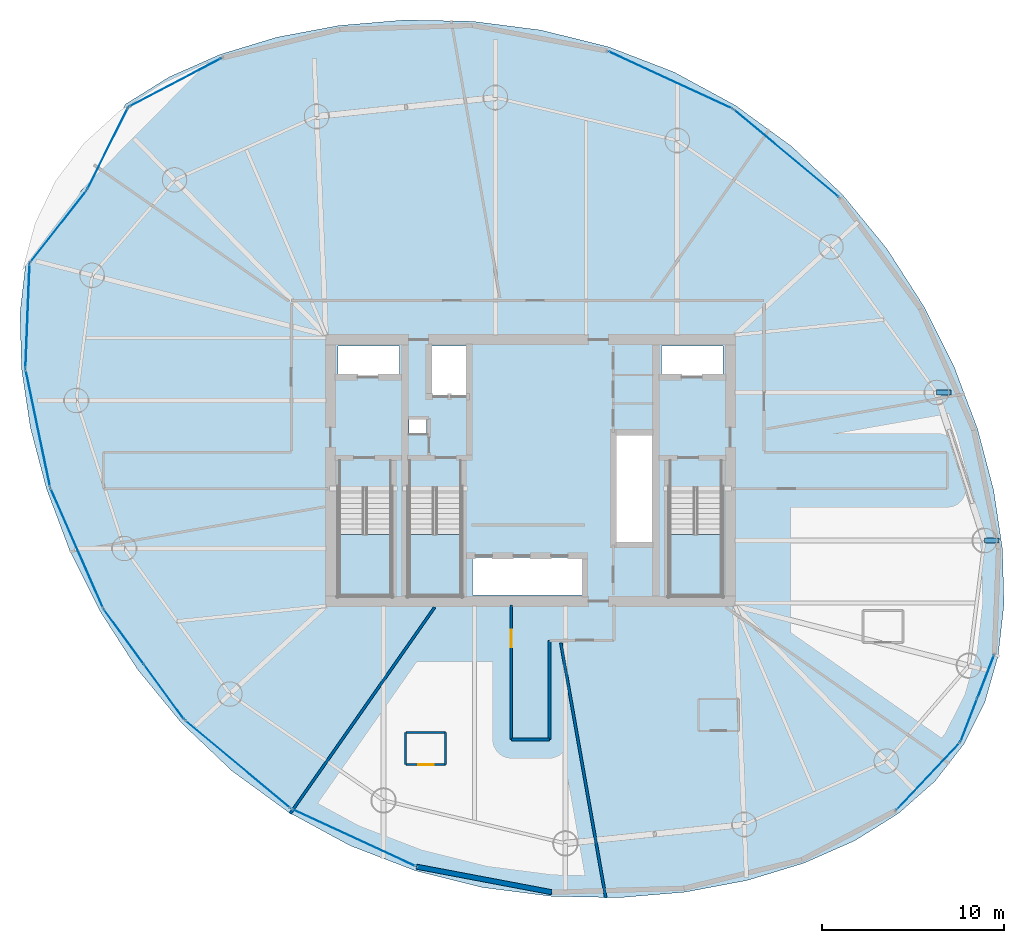
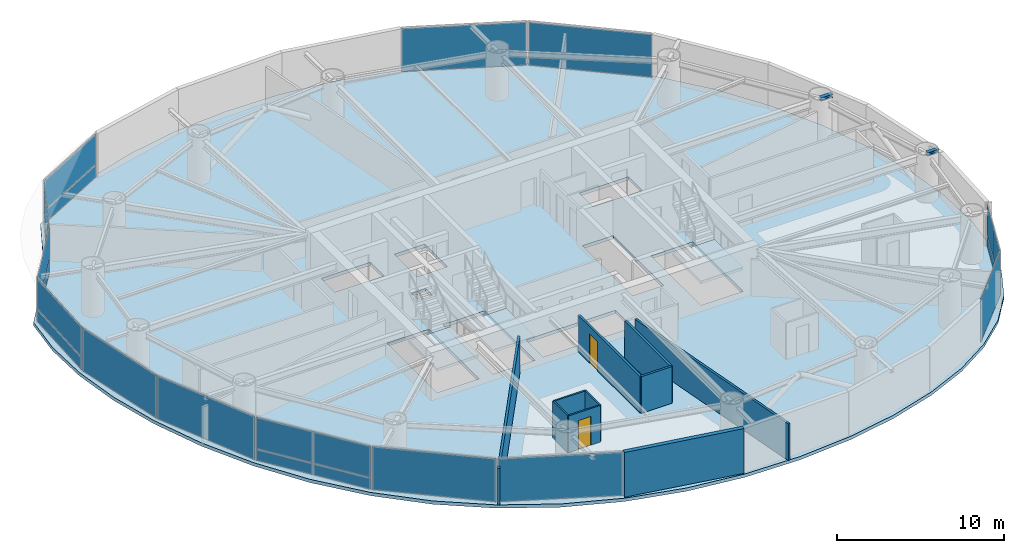
# One storey, part 17 of 23: 23 plates, 10 walls, 4 slabs, 2 beams, 2 doors, 2 openings, 16 elements without a shape of their own.
"""IFC4 building model written with IfcOpenShell, lengths in metres."""

from ifc_helpers import new_model, si_unit, direction, frame, frame_2d, origin, origin_2d, place, context, subcontext, project, spatial, polyline, rectangle, i_section, outline, extrude, material, layer, layer_set, material_profile, profile_set, type_object, element, fill, aggregate, save


model = new_model("IFC4")

# Units and contexts
model_context = context("Model", 3, precision=1e-05, world=origin(), true_north=direction((0.0, 1.0)))
body_context = subcontext(model_context, "Body", "Model", "MODEL_VIEW")
ifc_project = project(units=[si_unit("LENGTHUNIT", "METRE"), si_unit("AREAUNIT", "SQUARE_METRE"), si_unit("VOLUMEUNIT", "CUBIC_METRE"), si_unit("PLANEANGLEUNIT", "RADIAN"), si_unit("MASSUNIT", "GRAM", prefix="KILO")], contexts=[model_context])

# Site, building, storey
site_placement = place(None, origin())
site = spatial("IfcSite", under=ifc_project, at=site_placement, CompositionType="ELEMENT")
building_placement = place(site_placement, origin())
building = spatial("IfcBuilding", under=site, at=building_placement, Name="Bramvorn Convention Spire", CompositionType="ELEMENT")
storey_placement = place(building_placement, frame((0.0, 0.0, 158.800048828125)))
storey = spatial("IfcBuildingStorey", under=building, at=storey_placement, Name="L40", CompositionType="ELEMENT", Elevation=158.800048828125)

# Beams
ifc_material_1 = material(Name="Steel CSA G40.21 Grade 350 (350W)", Category="steel")
ifc_material_profile = material_profile(ifc_material_1, i_section(OverallWidth=0.25390625, OverallDepth=0.2529296875, WebThickness=0.008544921875, FlangeThickness=0.01416015625, FilletRadius=0.011962890625, at=origin_2d()))
ifc_profile_set = profile_set([ifc_material_profile], Name="Steel CSA G40.21 Grade 350 (350W) - W250X73")
beam_type = type_object("IfcBeamType", Name="BM-W250X73", PredefinedType="BEAM", material=ifc_profile_set)
for number, where, z_axis, x_axis, name in (
    (1, (62.983642578125, 22.148193359375, 3.133544921875), (1.0, 0.0, 0.0), (0.0, 1.0, 0.0), "L40 slab-edge cantilever tip beam MC02"),
    (2, (60.345703125, 30.293212890625, 3.133544921875), (1.0, 0.0, 0.0), (0.0, 1.0, 0.0), "L40 slab-edge cantilever tip beam MC03"),
):
    element("IfcBeam", number, at=place(storey_placement, frame(where, z_axis=z_axis, x_axis=x_axis)), inside=storey, type_object=beam_type, Name=name, PredefinedType="BEAM", context=body_context, shape_type="SweptSolid", body=[
        extrude(i_section(OverallWidth=0.25390625, OverallDepth=0.2529296875, WebThickness=0.008544921875, FlangeThickness=0.01416015625, FilletRadius=0.011962890625, at=origin_2d()), origin(), (0.0, 0.0, 1.0), 0.800048828125),
    ])

# Curtain wall, plates
ifc_material_2 = material(Name="Anodised Bronze Unitised Curtain Wall", Category="aluminium")
ifc_layer_1 = layer(ifc_material_2, 0.179931640625)
ifc_layer_set_1 = layer_set([ifc_layer_1], Name="Anodised Bronze Unitised Curtain Wall - CW-HTL-FRIT")
curtain_wall_type_1 = type_object("IfcCurtainWallType", Name="CW-HTL-FRIT", PredefinedType="USERDEFINED", material=ifc_layer_set_1)
curtain_wall_1_placement = place(storey_placement, origin())
curtain_wall_1 = element("IfcCurtainWall", 3, at=curtain_wall_1_placement, inside=storey, type_object=curtain_wall_type_1, Name="L40 fritted glass curtain wall 01", ObjectType="UNITISED CURTAIN WALL", PredefinedType="USERDEFINED")
ifc_material_3 = material(Name="Laminated Low-E Glass (Triple IGU Tapered Ceramic Frit 40%)", Category="glass")
ifc_layer_2 = layer(ifc_material_3, 0.0380859375)
ifc_layer_set_2 = layer_set([ifc_layer_2], Name="Laminated Low-E Glass (Triple IGU Tapered Ceramic Frit 40%) - PNL-IGU-2")
plate_type_1 = type_object("IfcPlateType", Name="PNL-IGU-2", PredefinedType="CURTAIN_PANEL", material=ifc_layer_set_2)
plate_1_placement = place(storey_placement, frame((63.0498046875, 14.65234375, 0.059814453125), z_axis=(0.0, 0.0, 1.0), x_axis=(-0.361975241742, -0.932187708761, 0.0)))
plate_1 = element("IfcPlate", 4, at=plate_1_placement, type_object=plate_type_1, Name="CW2 panel 1.1", PredefinedType="CURTAIN_PANEL", context=body_context, shape_type="SweptSolid", body=[
    extrude(rectangle(XDim=2.497314453125, YDim=0.028076171875, at=origin_2d()), origin(), (0.0, 0.0, 1.0), 0.81005859375),
])
plate_2_placement = place(storey_placement, frame((63.0498046875, 14.65234375, 0.929931640625), z_axis=(0.0, 0.0, 1.0), x_axis=(-0.361975241742, -0.932187708761, 0.0)))
plate_2 = element("IfcPlate", 5, at=plate_2_placement, type_object=plate_type_1, Name="CW2 panel 1.2", PredefinedType="CURTAIN_PANEL", context=body_context, shape_type="SweptSolid", body=[
    extrude(rectangle(XDim=2.497314453125, YDim=0.028076171875, at=origin_2d()), origin(), (0.0, 0.0, 1.0), 2.27001953125),
])
plate_3_placement = place(storey_placement, frame((62.1240234375, 12.2685546875, 0.059814453125), z_axis=(0.0, 0.0, 1.0), x_axis=(-0.361975241742, -0.932187708761, 0.0)))
plate_3 = element("IfcPlate", 6, at=plate_3_placement, type_object=plate_type_1, Name="CW2 panel 2.1", PredefinedType="CURTAIN_PANEL", context=body_context, shape_type="SweptSolid", body=[
    extrude(rectangle(XDim=2.497314453125, YDim=0.028076171875, at=origin_2d()), origin(), (0.0, 0.0, 1.0), 0.81005859375),
])
plate_4_placement = place(storey_placement, frame((62.1240234375, 12.2685546875, 0.929931640625), z_axis=(0.0, 0.0, 1.0), x_axis=(-0.361975241742, -0.932187708761, 0.0)))
plate_4 = element("IfcPlate", 7, at=plate_4_placement, type_object=plate_type_1, Name="CW2 panel 2.2", PredefinedType="CURTAIN_PANEL", context=body_context, shape_type="SweptSolid", body=[
    extrude(rectangle(XDim=2.497314453125, YDim=0.028076171875, at=origin_2d()), origin(), (0.0, 0.0, 1.0), 2.27001953125),
])
aggregate(curtain_wall_1, [plate_1, plate_2, plate_3, plate_4])

# Curtain wall, plate
curtain_wall_2_placement = place(storey_placement, origin())
curtain_wall_2 = element("IfcCurtainWall", 8, at=curtain_wall_2_placement, inside=storey, type_object=curtain_wall_type_1, Name="L40 fritted glass curtain wall 06", ObjectType="UNITISED CURTAIN WALL", PredefinedType="USERDEFINED")
plate_5_placement = place(storey_placement, frame((52.0771484375, 43.447021484375, 0.06005859375), z_axis=(0.0, 0.0, 1.0), x_axis=(0.768304128906, -0.640084967411, 0.0)))
plate_5 = element("IfcPlate", 9, at=plate_5_placement, type_object=plate_type_1, Name="CW2 panel 1.1", PredefinedType="CURTAIN_PANEL", context=body_context, shape_type="SweptSolid", body=[
    extrude(rectangle(XDim=7.497314453125, YDim=0.028076171875, at=origin_2d()), origin(), (0.0, 0.0, 1.0), 3.139892578125),
])
aggregate(curtain_wall_2, [plate_5])

curtain_wall_3_placement = place(storey_placement, origin())
curtain_wall_3 = element("IfcCurtainWall", 10, at=curtain_wall_3_placement, inside=storey, type_object=curtain_wall_type_1, Name="L40 fritted glass curtain wall 07", ObjectType="UNITISED CURTAIN WALL", PredefinedType="USERDEFINED")
plate_6_placement = place(storey_placement, frame((45.693603515625, 47.482421875, 0.06005859375), z_axis=(0.0, 0.0, 1.0), x_axis=(0.907764100217, -0.419481034561, 0.0)))
plate_6 = element("IfcPlate", 11, at=plate_6_placement, type_object=plate_type_1, Name="CW2 panel 1.1", PredefinedType="CURTAIN_PANEL", context=body_context, shape_type="SweptSolid", body=[
    extrude(rectangle(XDim=7.49755859375, YDim=0.028076171875, at=origin_2d()), origin(), (0.0, 0.0, 1.0), 3.139892578125),
])
aggregate(curtain_wall_3, [plate_6])

curtain_wall_4_placement = place(storey_placement, origin())
curtain_wall_4 = element("IfcCurtainWall", 12, at=curtain_wall_4_placement, inside=storey, type_object=curtain_wall_type_1, Name="L40 fritted glass curtain wall 15", ObjectType="UNITISED CURTAIN WALL", PredefinedType="USERDEFINED")
plate_7_placement = place(storey_placement, frame((10.8994140625, 28.32958984375, 0.06005859375), z_axis=(0.0, 0.0, 1.0), x_axis=(-0.204274787194, 0.978913587257, 0.0)))
plate_7 = element("IfcPlate", 13, at=plate_7_placement, type_object=plate_type_1, Name="CW2 panel 1.1", PredefinedType="CURTAIN_PANEL", context=body_context, shape_type="SweptSolid", body=[
    extrude(rectangle(XDim=6.544921875, YDim=0.028076171875, at=origin_2d()), origin(), (0.0, 0.0, 1.0), 3.139892578125),
])
aggregate(curtain_wall_4, [plate_7])

curtain_wall_5_placement = place(storey_placement, origin())
curtain_wall_5 = element("IfcCurtainWall", 14, at=curtain_wall_5_placement, inside=storey, type_object=curtain_wall_type_1, Name="L40 fritted glass curtain wall 16", ObjectType="UNITISED CURTAIN WALL", PredefinedType="USERDEFINED")
plate_8_placement = place(storey_placement, frame((13.044189453125, 21.728271484375, 0.06005859375), z_axis=(0.0, 0.0, 1.0), x_axis=(-0.401542442178, 0.915840415755, 0.0)))
plate_8 = element("IfcPlate", 15, at=plate_8_placement, type_object=plate_type_1, Name="CW2 panel 1.1", PredefinedType="CURTAIN_PANEL", context=body_context, shape_type="SweptSolid", body=[
    extrude(rectangle(XDim=7.171875, YDim=0.028076171875, at=origin_2d()), origin(), (0.0, 0.0, 1.0), 3.139892578125),
])
aggregate(curtain_wall_5, [plate_8])

# Curtain wall, plates
curtain_wall_6_placement = place(storey_placement, origin())
curtain_wall_6 = element("IfcCurtainWall", 16, at=curtain_wall_6_placement, inside=storey, type_object=curtain_wall_type_1, Name="L40 fritted glass curtain wall 17", ObjectType="UNITISED CURTAIN WALL", PredefinedType="USERDEFINED")
plate_9_placement = place(storey_placement, frame((17.843994140625, 13.814453125, 0.059814453125), z_axis=(0.0, 0.0, 1.0), x_axis=(-0.589194799142, 0.807991020163, 0.0)))
plate_9 = element("IfcPlate", 17, at=plate_9_placement, type_object=plate_type_1, Name="CW2 panel 1.1", PredefinedType="CURTAIN_PANEL", context=body_context, shape_type="SweptSolid", body=[
    extrude(rectangle(XDim=3.694580078125, YDim=0.028076171875, at=origin_2d()), origin(), (0.0, 0.0, 1.0), 0.81005859375),
])
plate_10_placement = place(storey_placement, frame((17.843994140625, 13.814453125, 0.929931640625), z_axis=(0.0, 0.0, 1.0), x_axis=(-0.589194799142, 0.807991020163, 0.0)))
plate_10 = element("IfcPlate", 18, at=plate_10_placement, type_object=plate_type_1, Name="CW2 panel 1.2", PredefinedType="CURTAIN_PANEL", context=body_context, shape_type="SweptSolid", body=[
    extrude(rectangle(XDim=3.694580078125, YDim=0.028076171875, at=origin_2d()), origin(), (0.0, 0.0, 1.0), 2.27001953125),
])
plate_11_placement = place(storey_placement, frame((15.6318359375, 16.84814453125, 0.059814453125), z_axis=(0.0, 0.0, 1.0), x_axis=(-0.589194799142, 0.807991020163, 0.0)))
plate_11 = element("IfcPlate", 19, at=plate_11_placement, type_object=plate_type_1, Name="CW2 panel 2.1", PredefinedType="CURTAIN_PANEL", context=body_context, shape_type="SweptSolid", body=[
    extrude(rectangle(XDim=3.694580078125, YDim=0.028076171875, at=origin_2d()), origin(), (0.0, 0.0, 1.0), 0.81005859375),
])
plate_12_placement = place(storey_placement, frame((15.6318359375, 16.84814453125, 0.929931640625), z_axis=(0.0, 0.0, 1.0), x_axis=(-0.589194799142, 0.807991020163, 0.0)))
plate_12 = element("IfcPlate", 20, at=plate_12_placement, type_object=plate_type_1, Name="CW2 panel 2.2", PredefinedType="CURTAIN_PANEL", context=body_context, shape_type="SweptSolid", body=[
    extrude(rectangle(XDim=3.694580078125, YDim=0.028076171875, at=origin_2d()), origin(), (0.0, 0.0, 1.0), 2.27001953125),
])
aggregate(curtain_wall_6, [plate_9, plate_10, plate_11, plate_12])

# Curtain wall, plate
curtain_wall_7_placement = place(storey_placement, origin())
curtain_wall_7 = element("IfcCurtainWall", 21, at=curtain_wall_7_placement, inside=storey, type_object=curtain_wall_type_1, Name="L40 fritted glass curtain wall 18", ObjectType="UNITISED CURTAIN WALL", PredefinedType="USERDEFINED")
plate_13_placement = place(storey_placement, frame((21.89404296875, 9.83544921875, 0.06005859375), z_axis=(0.0, 0.0, 1.0), x_axis=(-0.768315963321, 0.640070762109, 0.0)))
plate_13 = element("IfcPlate", 22, at=plate_13_placement, type_object=plate_type_1, Name="CW2 panel 1.1", PredefinedType="CURTAIN_PANEL", context=body_context, shape_type="SweptSolid", body=[
    extrude(rectangle(XDim=7.49755859375, YDim=0.028076171875, at=origin_2d()), origin(), (0.0, 0.0, 1.0), 3.139892578125),
])
aggregate(curtain_wall_7, [plate_13])

curtain_wall_8_placement = place(storey_placement, origin())
curtain_wall_8 = element("IfcCurtainWall", 23, at=curtain_wall_8_placement, inside=storey, type_object=curtain_wall_type_1, Name="L40 fritted glass curtain wall 19", ObjectType="UNITISED CURTAIN WALL", PredefinedType="USERDEFINED")
plate_14_placement = place(storey_placement, frame((28.27783203125, 5.800048828125, 0.06005859375), z_axis=(0.0, 0.0, 1.0), x_axis=(-0.907756791157, 0.419496851131, 0.0)))
plate_14 = element("IfcPlate", 24, at=plate_14_placement, type_object=plate_type_1, Name="CW2 panel 1.1", PredefinedType="CURTAIN_PANEL", context=body_context, shape_type="SweptSolid", body=[
    extrude(rectangle(XDim=7.49755859375, YDim=0.028076171875, at=origin_2d()), origin(), (0.0, 0.0, 1.0), 3.139892578125),
])
aggregate(curtain_wall_8, [plate_14])

curtain_wall_9_placement = place(storey_placement, origin())
curtain_wall_9 = element("IfcCurtainWall", 25, at=curtain_wall_9_placement, inside=storey, type_object=curtain_wall_type_1, Name="L40 fritted glass curtain wall 24", ObjectType="UNITISED CURTAIN WALL", PredefinedType="USERDEFINED")
plate_15_placement = place(storey_placement, frame((59.87353515625, 9.16845703125, 0.06005859375), z_axis=(0.0, 0.0, 1.0), x_axis=(-0.686820996147, -0.726826608795, 0.0)))
plate_15 = element("IfcPlate", 26, at=plate_15_placement, type_object=plate_type_1, Name="CW2 panel 1.1", PredefinedType="CURTAIN_PANEL", context=body_context, shape_type="SweptSolid", body=[
    extrude(rectangle(XDim=5.05419921875, YDim=0.028076171875, at=origin_2d()), origin(), (0.0, 0.0, 1.0), 3.139892578125),
])
aggregate(curtain_wall_9, [plate_15])

# Curtain wall, plates
ifc_layer_3 = layer(ifc_material_2, 0.219970703125)
ifc_layer_set_3 = layer_set([ifc_layer_3], Name="Anodised Bronze Unitised Curtain Wall - CW-SKYGARDEN")
curtain_wall_type_2 = type_object("IfcCurtainWallType", Name="CW-SKYGARDEN", PredefinedType="USERDEFINED", material=ifc_layer_set_3)
curtain_wall_10_placement = place(storey_placement, origin())
curtain_wall_10 = element("IfcCurtainWall", 27, at=curtain_wall_10_placement, inside=storey, type_object=curtain_wall_type_2, Name="L40 Sky Garden glazed facade 11", ObjectType="WINTER GARDEN GLAZING", PredefinedType="USERDEFINED")
ifc_material_4 = material(Name="Laminated Low-E Glass (Acoustic Laminated Podium Triple IGU)", Category="glass")
ifc_layer_4 = layer(ifc_material_4, 0.0458984375)
ifc_layer_set_4 = layer_set([ifc_layer_4], Name="Laminated Low-E Glass (Acoustic Laminated Podium Triple IGU) - PNL-IGU-5")
plate_type_2 = type_object("IfcPlateType", Name="PNL-IGU-5", PredefinedType="CURTAIN_PANEL", material=ifc_layer_set_4)
plate_16_placement = place(storey_placement, frame((18.45361328125, 47.345947265625, 0.06005859375), z_axis=(0.0, 0.0, 1.0), x_axis=(0.885739413064, 0.464182821898, 0.0)))
plate_16 = element("IfcPlate", 28, at=plate_16_placement, type_object=plate_type_2, Name="CW4 panel 1.1", PredefinedType="CURTAIN_PANEL", context=body_context, shape_type="SweptSolid", body=[
    extrude(rectangle(XDim=5.70263671875, YDim=0.028076171875, at=origin_2d()), origin(), (0.0, 0.0, 1.0), 0.909912109375),
])
plate_17_placement = place(storey_placement, frame((18.45361328125, 47.345947265625, 1.030029296875), z_axis=(0.0, 0.0, 1.0), x_axis=(0.885739413064, 0.464182821898, 0.0)))
plate_17 = element("IfcPlate", 29, at=plate_17_placement, type_object=plate_type_2, Name="CW4 panel 1.2", PredefinedType="CURTAIN_PANEL", context=body_context, shape_type="SweptSolid", body=[
    extrude(rectangle(XDim=5.70263671875, YDim=0.028076171875, at=origin_2d()), origin(), (0.0, 0.0, 1.0), 2.169921875),
])
aggregate(curtain_wall_10, [plate_16, plate_17])

curtain_wall_11_placement = place(storey_placement, origin())
curtain_wall_11 = element("IfcCurtainWall", 30, at=curtain_wall_11_placement, inside=storey, type_object=curtain_wall_type_2, Name="L40 Sky Garden glazed facade 12", ObjectType="WINTER GARDEN GLAZING", PredefinedType="USERDEFINED")
plate_18_placement = place(storey_placement, frame((14.73583984375, 43.710693359375, 0.06005859375), z_axis=(0.0, 0.0, 1.0), x_axis=(0.446296433808, 0.89488518435, 0.0)))
plate_18 = element("IfcPlate", 31, at=plate_18_placement, type_object=plate_type_2, Name="CW4 panel 1.1", PredefinedType="CURTAIN_PANEL", context=body_context, shape_type="SweptSolid", body=[
    extrude(rectangle(XDim=4.98388671875, YDim=0.028076171875, at=origin_2d()), origin(), (0.0, 0.0, 1.0), 0.909912109375),
])
plate_19_placement = place(storey_placement, frame((14.73583984375, 43.710693359375, 1.030029296875), z_axis=(0.0, 0.0, 1.0), x_axis=(0.446296433808, 0.89488518435, 0.0)))
plate_19 = element("IfcPlate", 32, at=plate_19_placement, type_object=plate_type_2, Name="CW4 panel 1.2", PredefinedType="CURTAIN_PANEL", context=body_context, shape_type="SweptSolid", body=[
    extrude(rectangle(XDim=4.98388671875, YDim=0.028076171875, at=origin_2d()), origin(), (0.0, 0.0, 1.0), 2.169921875),
])
aggregate(curtain_wall_11, [plate_18, plate_19])

curtain_wall_12_placement = place(storey_placement, origin())
curtain_wall_12 = element("IfcCurtainWall", 33, at=curtain_wall_12_placement, inside=storey, type_object=curtain_wall_type_2, Name="L40 Sky Garden glazed facade 13", ObjectType="WINTER GARDEN GLAZING", PredefinedType="USERDEFINED")
plate_20_placement = place(storey_placement, frame((12.0224609375, 39.418701171875, 0.06005859375), z_axis=(0.0, 0.0, 1.0), x_axis=(0.616954153552, 0.78699909302, 0.0)))
plate_20 = element("IfcPlate", 34, at=plate_20_placement, type_object=plate_type_2, Name="CW4 panel 1.1", PredefinedType="CURTAIN_PANEL", context=body_context, shape_type="SweptSolid", body=[
    extrude(rectangle(XDim=4.98388671875, YDim=0.028076171875, at=origin_2d()), origin(), (0.0, 0.0, 1.0), 0.909912109375),
])
plate_21_placement = place(storey_placement, frame((12.0224609375, 39.418701171875, 1.030029296875), z_axis=(0.0, 0.0, 1.0), x_axis=(0.616954153552, 0.78699909302, 0.0)))
plate_21 = element("IfcPlate", 35, at=plate_21_placement, type_object=plate_type_2, Name="CW4 panel 1.2", PredefinedType="CURTAIN_PANEL", context=body_context, shape_type="SweptSolid", body=[
    extrude(rectangle(XDim=4.98388671875, YDim=0.028076171875, at=origin_2d()), origin(), (0.0, 0.0, 1.0), 2.169921875),
])
aggregate(curtain_wall_12, [plate_20, plate_21])

curtain_wall_13_placement = place(storey_placement, origin())
curtain_wall_13 = element("IfcCurtainWall", 36, at=curtain_wall_13_placement, inside=storey, type_object=curtain_wall_type_2, Name="L40 Sky Garden glazed facade 14", ObjectType="WINTER GARDEN GLAZING", PredefinedType="USERDEFINED")
plate_22_placement = place(storey_placement, frame((10.333251953125, 34.5009765625, 0.06005859375), z_axis=(0.0, 0.0, 1.0), x_axis=(0.039396714655, 0.999223648076, 0.0)))
plate_22 = element("IfcPlate", 37, at=plate_22_placement, type_object=plate_type_2, Name="CW4 panel 1.1", PredefinedType="CURTAIN_PANEL", context=body_context, shape_type="SweptSolid", body=[
    extrude(rectangle(XDim=5.702880859375, YDim=0.028076171875, at=origin_2d()), origin(), (0.0, 0.0, 1.0), 0.909912109375),
])
plate_23_placement = place(storey_placement, frame((10.333251953125, 34.5009765625, 1.030029296875), z_axis=(0.0, 0.0, 1.0), x_axis=(0.039396714655, 0.999223648076, 0.0)))
plate_23 = element("IfcPlate", 38, at=plate_23_placement, type_object=plate_type_2, Name="CW4 panel 1.2", PredefinedType="CURTAIN_PANEL", context=body_context, shape_type="SweptSolid", body=[
    extrude(rectangle(XDim=5.702880859375, YDim=0.028076171875, at=origin_2d()), origin(), (0.0, 0.0, 1.0), 2.169921875),
])
aggregate(curtain_wall_13, [plate_22, plate_23])

# Stair, slab
ifc_material_5 = material(Name="Concrete C40/50 Precast Stair", Category="concrete")
stair_type = type_object("IfcStairType", Name="ST-TOWER-1550", PredefinedType="HALF_TURN_STAIR", material=ifc_material_5)
stair_1_placement = place(storey_placement, origin())
stair_1 = element("IfcStair", 39, at=stair_1_placement, inside=storey, type_object=stair_type, Name="L40 Protected Exit Stair ST1", PredefinedType="HALF_TURN_STAIR")
ifc_material_6 = material(Name="Concrete C40/50 Stair Landing", Category="concrete")
ifc_layer_5 = layer(ifc_material_6, 0.219970703125)
ifc_layer_set_5 = layer_set([ifc_layer_5], Name="Concrete C40/50 Stair Landing - SLB-STAIR-LANDING")
slab_type_1 = type_object("IfcSlabType", Name="SLB-STAIR-LANDING", PredefinedType="LANDING", material=ifc_layer_set_5)
slab_1_placement = place(storey_placement, frame((0.0, 0.0, 1.550048828125)))
slab_1 = element("IfcSlab", 40, at=slab_1_placement, type_object=slab_type_1, Name="ST1 landing 1", PredefinedType="LANDING", context=body_context, shape_type="SweptSolid", body=[
    extrude(outline(polyline([(27.449951171875, 22.485107421875), (27.449951171875, 19.10009765625), (30.35009765625, 19.10009765625), (30.35009765625, 22.485107421875), (27.449951171875, 22.485107421875)])), origin(), (0.0, 0.0, 1.0), 0.199951171875),
])
aggregate(stair_1, [slab_1])

stair_2_placement = place(storey_placement, origin())
stair_2 = element("IfcStair", 41, at=stair_2_placement, inside=storey, type_object=stair_type, Name="L40 Protected Exit Stair ST2", PredefinedType="HALF_TURN_STAIR")
slab_2_placement = place(storey_placement, frame((0.0, 0.0, 1.550048828125)))
slab_2 = element("IfcSlab", 42, at=slab_2_placement, type_object=slab_type_1, Name="ST2 landing 1", PredefinedType="LANDING", context=body_context, shape_type="SweptSolid", body=[
    extrude(outline(polyline([(45.64990234375, 22.485107421875), (45.64990234375, 19.10009765625), (48.550048828125, 19.10009765625), (48.550048828125, 22.485107421875), (45.64990234375, 22.485107421875)])), origin(), (0.0, 0.0, 1.0), 0.199951171875),
])
aggregate(stair_2, [slab_2])

stair_3_placement = place(storey_placement, origin())
stair_3 = element("IfcStair", 43, at=stair_3_placement, inside=storey, type_object=stair_type, Name="L40 Protected Exit Stair ST3", PredefinedType="HALF_TURN_STAIR")
slab_3_placement = place(storey_placement, frame((0.0, 0.0, 1.550048828125)))
slab_3 = element("IfcSlab", 44, at=slab_3_placement, type_object=slab_type_1, Name="ST3 landing 1", PredefinedType="LANDING", context=body_context, shape_type="SweptSolid", body=[
    extrude(outline(polyline([(31.300048828125, 22.485107421875), (31.300048828125, 19.10009765625), (34.199951171875, 19.10009765625), (34.199951171875, 22.485107421875), (31.300048828125, 22.485107421875)])), origin(), (0.0, 0.0, 1.0), 0.199951171875),
])
aggregate(stair_3, [slab_3])

# Slab
ifc_material_7 = material(Name="Concrete C50/60", Category="concrete")
ifc_layer_6 = layer(ifc_material_7, 0.239990234375)
ifc_layer_set_6 = layer_set([ifc_layer_6], Name="Concrete C50/60 - SLB-Z2-240")
slab_type_2 = type_object("IfcSlabType", Name="SLB-Z2-240", PredefinedType="FLOOR", material=ifc_layer_set_6)
slab_4_placement = place(storey_placement, frame((0.0, 0.0, -0.239990234375)))
element("IfcSlab", 45, at=slab_4_placement, inside=storey, type_object=slab_type_2, Name="L40 tower floor slab", PredefinedType="FLOOR", context=body_context, shape_type="SweptSolid", body=[
    extrude(outline(polyline([(61.83642578125, 10.931396484375), (62.99462890625, 13.234130859375), (63.731201171875, 15.803466796875), (64.053955078125, 18.627197265625), (63.97021484375, 21.677978515625), (63.486328125, 24.910888671875), (62.60595703125, 28.263427734375), (61.33056640625, 31.656982421875), (59.662109375, 35.001953125), (57.605712890625, 38.203857421875), (55.173095703125, 41.170654296875), (52.3857421875, 43.820068359375), (49.27783203125, 46.085693359375), (45.898193359375, 47.921142578125), (42.309326171875, 49.302734375), (38.5859375, 50.227783203125), (34.8115234375, 50.7119140625), (31.07421875, 50.7841796875), (27.461669921875, 50.480712890625), (24.0556640625, 49.837890625), (20.927490234375, 48.888427734375), (18.1357421875, 47.655517578125), (15.723388671875, 46.15283203125), (14.499755859375, 43.789306640625), (13.409423828125, 41.54541015625), (11.850341796875, 39.59814453125), (10.239990234375, 37.47900390625), (9.91748046875, 34.6552734375), (10.001220703125, 31.6044921875), (10.485107421875, 28.37158203125), (11.365478515625, 25.01904296875), (12.640869140625, 21.62548828125), (14.30908203125, 18.280517578125), (16.365478515625, 15.07861328125), (18.79833984375, 12.11181640625), (21.585693359375, 9.46240234375), (24.693359375, 7.19677734375), (28.072998046875, 5.361328125), (31.662109375, 3.979736328125), (35.385498046875, 3.0546875), (39.159912109375, 2.570556640625), (42.897216796875, 2.498291015625), (46.509765625, 2.8017578125), (49.915771484375, 3.4443359375), (53.043701171875, 4.39404296875), (55.83544921875, 5.626953125), (58.247802734375, 7.129638671875), (60.2529296875, 8.897216796875), (61.83642578125, 10.931396484375)]), holes=[polyline([(27.449951171875, 25.050048828125), (27.449951171875, 19.10009765625), (30.35009765625, 19.10009765625), (30.35009765625, 25.050048828125), (27.449951171875, 25.050048828125)]), polyline([(45.64990234375, 25.050048828125), (45.64990234375, 19.10009765625), (48.550048828125, 19.10009765625), (48.550048828125, 25.050048828125), (45.64990234375, 25.050048828125)]), polyline([(31.300048828125, 25.050048828125), (31.300048828125, 19.10009765625), (34.199951171875, 19.10009765625), (34.199951171875, 25.050048828125), (31.300048828125, 25.050048828125)]), polyline([(27.39990234375, 31.219970703125), (30.800048828125, 31.219970703125), (30.800048828125, 32.85009765625), (27.39990234375, 32.85009765625), (27.39990234375, 31.219970703125)]), polyline([(45.199951171875, 31.219970703125), (48.60009765625, 31.219970703125), (48.60009765625, 32.85009765625), (45.199951171875, 32.85009765625), (45.199951171875, 31.219970703125)]), polyline([(32.449951171875, 30.14990234375), (34.56005859375, 30.14990234375), (34.56005859375, 32.85009765625), (32.449951171875, 32.85009765625), (32.449951171875, 30.14990234375)]), polyline([(34.800048828125, 19.14990234375), (40.97998046875, 19.14990234375), (40.97998046875, 21.199951171875), (34.800048828125, 21.199951171875), (34.800048828125, 19.14990234375)]), polyline([(42.6201171875, 22.0), (44.75, 22.0), (44.75, 28.0), (42.6201171875, 28.0), (42.6201171875, 22.0)]), polyline([(31.320068359375, 28.02001953125), (32.280029296875, 28.02001953125), (32.280029296875, 28.820068359375), (31.320068359375, 28.820068359375), (31.320068359375, 28.02001953125)])]), origin(), (0.0, 0.0, 1.0), 0.239990234375),
])

# Wall
ifc_material_8 = material(Name="Precast Concrete C40/50 with Bronze Terracotta Rainscreen", Category="masonry")
ifc_layer_7 = layer(ifc_material_8, 0.300048828125)
ifc_layer_set_7 = layer_set([ifc_layer_7], Name="Precast Concrete C40/50 with Bronze Terracotta Rainscreen - WL-EXT-BRONZE-300")
wall_type_1 = type_object("IfcWallType", Name="WL-EXT-BRONZE-300", PredefinedType="SOLIDWALL", material=ifc_layer_set_7)
wall_1_placement = place(storey_placement, frame((39.1728515625, 2.796875, 0.0), z_axis=(0.0, 0.0, 1.0), x_axis=(-0.982615276767, 0.185653488694, 0.0)))
element("IfcWall", 46, at=wall_1_placement, inside=storey, type_object=wall_type_1, Name="L40 expressed bronze Gothic lancet pier wall 20", PredefinedType="SOLIDWALL", context=body_context, shape_type="SweptSolid", body=[
    extrude(rectangle(XDim=7.5693359375, YDim=0.280029296875, at=frame_2d((3.78466796875, 0.0))), origin(), (0.0, 0.0, 1.0), 3.260009765625),
])

# Wall, opening, door
ifc_material_9 = material(Name="Lightweight En-Suite & Wet-Wall Partition", Category="gypsum")
ifc_layer_8 = layer(ifc_material_9, 0.110107421875)
ifc_layer_set_8 = layer_set([ifc_layer_8], Name="Lightweight En-Suite & Wet-Wall Partition - WL-PART-110")
wall_type_2 = type_object("IfcWallType", Name="WL-PART-110", PredefinedType="PARTITIONING", material=ifc_layer_set_8)
wall_2_placement = place(storey_placement, frame((31.14013671875, 9.8154296875, 0.0), z_axis=(0.0, 0.0, 1.0), x_axis=(1.0, 0.0, 0.0)))
wall_2 = element("IfcWall", 47, at=wall_2_placement, inside=storey, type_object=wall_type_2, Name="Hotel Suite 4006 en-suite south wall", PredefinedType="PARTITIONING", context=body_context, shape_type="SweptSolid", body=[
    extrude(rectangle(XDim=2.199951171875, YDim=0.110107421875, at=frame_2d((1.10009765625, 0.0))), origin(), (0.0, 0.0, 1.0), 2.675048828125),
])
opening_1_placement = place(wall_2_placement, frame((0.679931640625, 0.0, 0.0)))
opening_1 = element("IfcOpeningElement", 48, at=opening_1_placement, cuts=wall_2, Name="Opening DI-085", PredefinedType="OPENING", context=body_context, shape_type="SweptSolid", body=[
    extrude(rectangle(XDim=0.85009765625, YDim=2.10009765625, at=frame_2d((0.425048828125, 1.050048828125))), frame((0.0, 0.06494140625, 0.0), z_axis=(0.0, -1.0, 0.0), x_axis=(1.0, 0.0, 0.0)), (0.0, 0.0, 1.0), 0.130126953125),
])
ifc_material_10 = material(Name="En-Suite & Restroom Privacy Door", Category="wood")
door_type_1 = type_object("IfcDoorType", Name="DR-INT-850", OperationType="NOTDEFINED", PredefinedType="DOOR", material=ifc_material_10)
door_1_placement = place(opening_1_placement, origin())
door_1 = element("IfcDoor", 49, at=door_1_placement, inside=storey, type_object=door_type_1, Name="Hotel Suite 4006 En-Suite Bathroom door", OperationType="SINGLE_SWING_LEFT", OverallHeight=2.10009765625, OverallWidth=0.85009765625, PredefinedType="DOOR", context=body_context, shape_type="SweptSolid", body=[
    extrude(rectangle(XDim=0.85009765625, YDim=2.10009765625, at=frame_2d((0.425048828125, 1.050048828125))), frame((0.0, 0.02490234375, 0.0), z_axis=(0.0, -1.0, 0.0), x_axis=(1.0, 0.0, 0.0)), (0.0, 0.0, 1.0), 0.050048828125),
])
fill(opening_1, door_1)

# Walls
wall_3_placement = place(storey_placement, frame((31.14013671875, 11.575439453125, 0.0), z_axis=(0.0, 0.0, 1.0), x_axis=(1.0, 0.0, 0.0)))
element("IfcWall", 50, at=wall_3_placement, inside=storey, type_object=wall_type_2, Name="Hotel Suite 4006 en-suite north wall", PredefinedType="PARTITIONING", context=body_context, shape_type="SweptSolid", body=[
    extrude(rectangle(XDim=2.199951171875, YDim=0.110107421875, at=frame_2d((1.10009765625, 0.0))), origin(), (0.0, 0.0, 1.0), 2.675048828125),
])
for number, where, z_axis, x_axis, name in (
    (51, (31.14013671875, 9.8154296875, 0.0), (0.0, 0.0, 1.0), (0.0, 1.0, 0.0), "Hotel Suite 4006 en-suite west wall"),
    (52, (33.340087890625, 9.8154296875, 0.0), (0.0, 0.0, 1.0), (0.0, 1.0, 0.0), "Hotel Suite 4006 en-suite east wall"),
):
    element("IfcWall", number, at=place(storey_placement, frame(where, z_axis=z_axis, x_axis=x_axis)), inside=storey, type_object=wall_type_2, Name=name, PredefinedType="PARTITIONING", context=body_context, shape_type="SweptSolid", body=[
        extrude(rectangle(XDim=1.760009765625, YDim=0.110107421875, at=frame_2d((0.8798828125, 0.0))), origin(), (0.0, 0.0, 1.0), 2.675048828125),
    ])

# Wall, opening, door
ifc_material_11 = material(Name="Acoustic Metal-Stud Tenant/Corridor Partition", Category="gypsum")
ifc_layer_9 = layer(ifc_material_11, 0.14990234375)
ifc_layer_set_9 = layer_set([ifc_layer_9], Name="Acoustic Metal-Stud Tenant/Corridor Partition - WL-PART-150")
wall_type_3 = type_object("IfcWallType", Name="WL-PART-150", PredefinedType="PARTITIONING", material=ifc_layer_set_9)
wall_4_placement = place(storey_placement, frame((36.949951171875, 11.199951171875, 0.0), z_axis=(0.0, 0.0, 1.0), x_axis=(0.0, 1.0, 0.0)))
wall_4 = element("IfcWall", 53, at=wall_4_placement, inside=storey, type_object=wall_type_3, Name="L40 South axial spine west wall", PredefinedType="PARTITIONING", context=body_context, shape_type="SweptSolid", body=[
    extrude(rectangle(XDim=7.400146484375, YDim=0.14990234375, at=frame_2d((3.7001953125, 0.0))), origin(), (0.0, 0.0, 1.0), 2.675048828125),
])
opening_2_placement = place(wall_4_placement, frame((5.074951171875, 0.0, 0.0)))
opening_2 = element("IfcOpeningElement", 54, at=opening_2_placement, cuts=wall_4, Name="Opening DH-095", PredefinedType="OPENING", context=body_context, shape_type="SweptSolid", body=[
    extrude(rectangle(XDim=0.949951171875, YDim=2.14990234375, at=frame_2d((0.47509765625, 1.074951171875))), frame((0.0, 0.0849609375, 0.0), z_axis=(0.0, -1.0, 0.0), x_axis=(1.0, 0.0, 0.0)), (0.0, 0.0, 1.0), 0.169921875),
])
ifc_material_12 = material(Name="Solid-Core Acoustic Guestroom Entry Door", Category="wood")
door_type_2 = type_object("IfcDoorType", Name="DR-HOTEL-950", OperationType="NOTDEFINED", PredefinedType="DOOR", material=ifc_material_12)
door_2_placement = place(opening_2_placement, origin())
door_2 = element("IfcDoor", 55, at=door_2_placement, inside=storey, type_object=door_type_2, Name="Hotel Suite 4006 entry door", OperationType="SINGLE_SWING_LEFT", OverallHeight=2.14990234375, OverallWidth=0.949951171875, PredefinedType="DOOR", context=body_context, shape_type="SweptSolid", body=[
    extrude(rectangle(XDim=0.949951171875, YDim=2.14990234375, at=frame_2d((0.47509765625, 1.074951171875))), frame((0.0, 0.02490234375, 0.0), z_axis=(0.0, -1.0, 0.0), x_axis=(1.0, 0.0, 0.0)), (0.0, 0.0, 1.0), 0.050048828125),
])
fill(opening_2, door_2)

# Walls
wall_5_placement = place(storey_placement, frame((39.050048828125, 11.199951171875, 0.0), z_axis=(0.0, 0.0, 1.0), x_axis=(0.0, 1.0, 0.0)))
element("IfcWall", 56, at=wall_5_placement, inside=storey, type_object=wall_type_3, Name="L40 South axial spine east wall", PredefinedType="PARTITIONING", context=body_context, shape_type="SweptSolid", body=[
    extrude(rectangle(XDim=5.449951171875, YDim=0.14990234375, at=frame_2d((2.72509765625, 0.0))), origin(), (0.0, 0.0, 1.0), 2.675048828125),
])
wall_6_placement = place(storey_placement, frame((36.949951171875, 11.199951171875, 0.0), z_axis=(0.0, 0.0, 1.0), x_axis=(1.0, 0.0, 0.0)))
element("IfcWall", 57, at=wall_6_placement, inside=storey, type_object=wall_type_3, Name="L40 South axial spine end wall", PredefinedType="PARTITIONING", context=body_context, shape_type="SweptSolid", body=[
    extrude(rectangle(XDim=2.10009765625, YDim=0.14990234375, at=frame_2d((1.050048828125, 0.0))), origin(), (0.0, 0.0, 1.0), 2.675048828125),
])
wall_7_placement = place(storey_placement, frame((32.734375, 18.47998046875, 0.0), z_axis=(0.0, 0.0, 1.0), x_axis=(-0.573572172443, -0.819155029893, 0.0)))
element("IfcWall", 58, at=wall_7_placement, inside=storey, type_object=wall_type_3, Name="L40 Guestroom demising wall 6", PredefinedType="PARTITIONING", context=body_context, shape_type="SweptSolid", body=[
    extrude(rectangle(XDim=13.8740234375, YDim=0.14990234375, at=frame_2d((6.93701171875, 0.0))), origin(), (0.0, 0.0, 1.0), 2.675048828125),
])
wall_8_placement = place(storey_placement, frame((39.67333984375, 16.510009765625, 0.0), z_axis=(0.0, 0.0, 1.0), x_axis=(0.173644531714, -0.984808395885, 0.0)))
element("IfcWall", 59, at=wall_8_placement, inside=storey, type_object=wall_type_3, Name="L40 Guestroom demising wall 7", PredefinedType="PARTITIONING", context=body_context, shape_type="SweptSolid", body=[
    extrude(rectangle(XDim=14.243896484375, YDim=0.14990234375, at=frame_2d((7.1220703125, 0.0))), origin(), (0.0, 0.0, 1.0), 2.675048828125),
])

save(model, "model.ifc")
